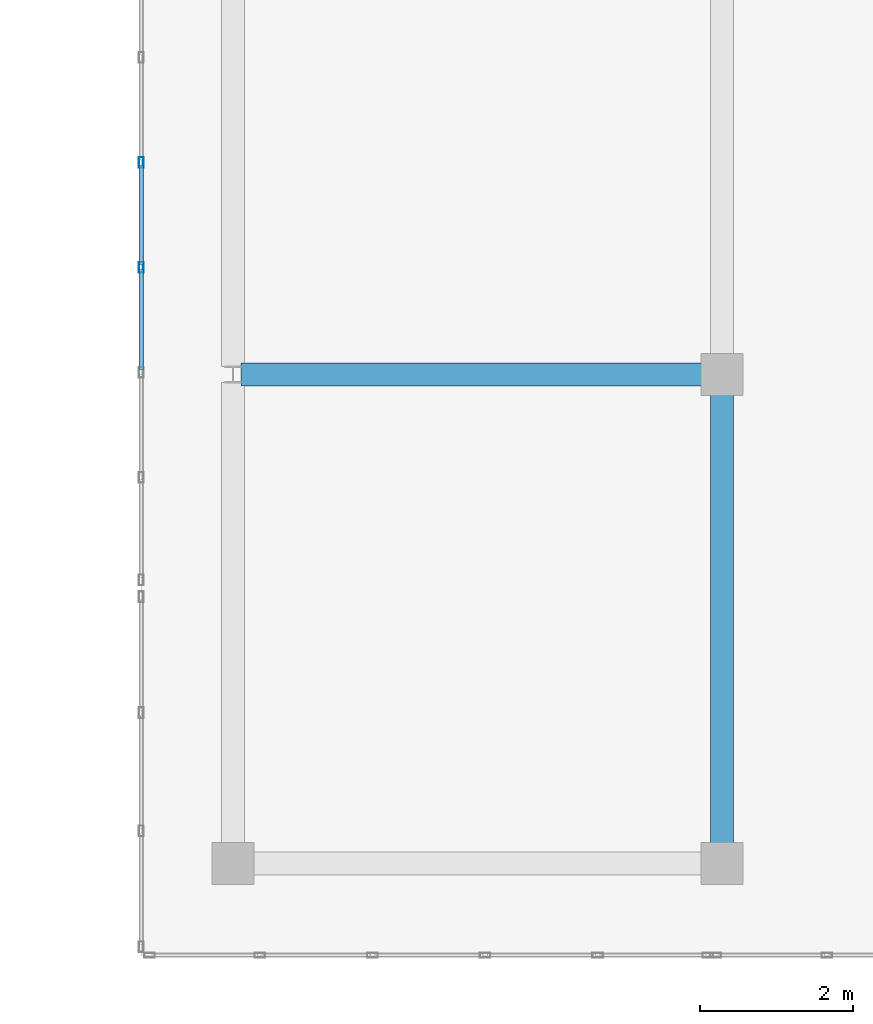
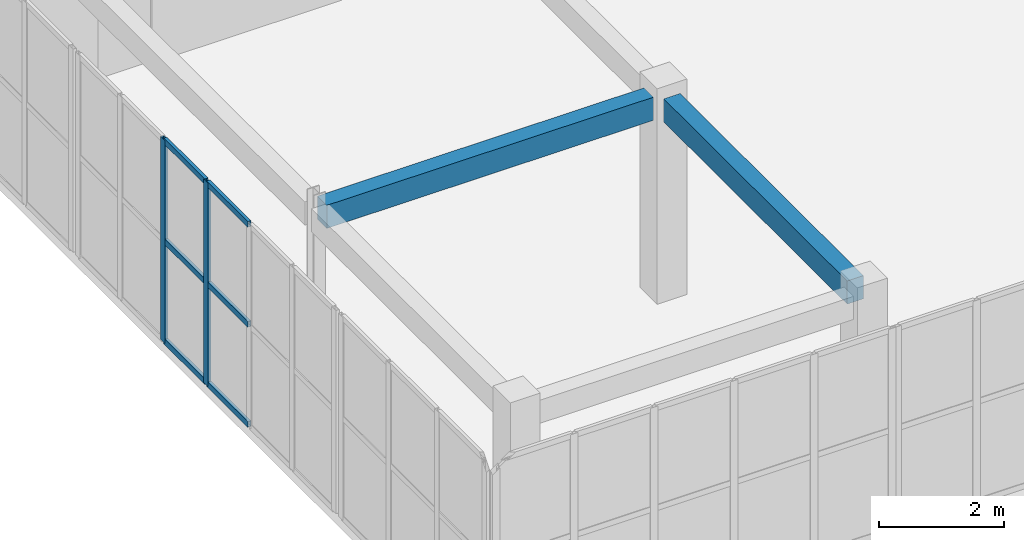
# One storey, part 17 of 140: 8 members, 2 beams, 1 element without a shape of its own.
"""IFC4 building model written with IfcOpenShell, lengths in metres."""

import ifcopenshell
import ifcopenshell.guid

model = None  # the IFC model being written
_history = None  # IfcOwnerHistory: only IFC2X3 demands one
_inside = {}  # id of a spatial element -> (the spatial element, [elements in it])
_under = {}  # id of a project, library or spatial element -> (it, [spatial elements below it])
_declared = {}  # id of a project -> (the project, [libraries it declares])
_typed = {}  # id of a type object -> (the type object, [elements of that type])
_made_of = {}  # id of a material, layer set ... -> (it, [elements and type objects made of it])


def new_model(schema):
    """Start an empty IFC model of exactly this schema.

    Asked for "IFC4X3", IfcOpenShell would pick the latest addendum, in which some entities
    have other attributes; the version numbers below select the first issue.
    IFC2X3 requires an IfcOwnerHistory on every rooted entity: one is made here for all.
    """
    global model, _history
    if schema == "IFC4X3":
        model = ifcopenshell.file(schema_version=(4, 3, 0, 0))
    else:
        model = ifcopenshell.file(schema=schema)
    _inside.clear()
    _under.clear()
    _declared.clear()
    _typed.clear()
    _made_of.clear()
    _history = None
    if model.schema == "IFC2X3":
        org = make("IfcOrganization", Name="unknown")
        user = make(
            "IfcPersonAndOrganization",
            ThePerson=make("IfcPerson", FamilyName="unknown"),
            TheOrganization=org,
        )
        app = make(
            "IfcApplication",
            ApplicationDeveloper=org,
            Version="unknown",
            ApplicationFullName="unknown",
            ApplicationIdentifier="unknown",
        )
        _history = make(
            "IfcOwnerHistory",
            OwningUser=user,
            OwningApplication=app,
            ChangeAction="ADDED",
            CreationDate=0,
        )
    return model


def make(cls, **values):
    """One entity of the class cls with the attributes given. An attribute that is None is left unset."""
    return model.create_entity(
        cls, **{name: value for name, value in values.items() if value is not None}
    )


def rooted(cls, **values):
    """An entity with a GlobalId (a new one), such as an element, a storey or a relation."""
    return make(cls, GlobalId=ifcopenshell.guid.new(), OwnerHistory=_history, **values)


def si_unit(unit_type, name, prefix=None):
    """IfcSIUnit, for example si_unit("LENGTHUNIT", "METRE", prefix="MILLI")."""
    return make("IfcSIUnit", UnitType=unit_type, Prefix=prefix, Name=name)


def assignment(units):
    """IfcUnitAssignment: the units of a project."""
    return None if units is None else make("IfcUnitAssignment", Units=units)


def point(xyz):
    """IfcCartesianPoint."""
    return None if xyz is None else make("IfcCartesianPoint", Coordinates=xyz)


def direction(xyz):
    """IfcDirection."""
    return None if xyz is None else make("IfcDirection", DirectionRatios=xyz)


def frame(location, z_axis=None, x_axis=None):
    """IfcAxis2Placement3D, a coordinate frame: its origin and axes. An axis left out is left unset."""
    return make(
        "IfcAxis2Placement3D",
        Location=point(location),
        Axis=direction(z_axis),
        RefDirection=direction(x_axis),
    )


def frame_2d(location, x_axis=None):
    """IfcAxis2Placement2D, a coordinate frame in the plane: its origin and x axis."""
    return make(
        "IfcAxis2Placement2D", Location=point(location), RefDirection=direction(x_axis)
    )


def origin():
    """The frame at (0, 0, 0) with its axes left unset."""
    return frame((0.0, 0.0, 0.0))


def origin_2d():
    """The frame at (0, 0) in the plane with its x axis left unset."""
    return frame_2d((0.0, 0.0))


def place(relative_to, where):
    """IfcLocalPlacement: puts the frame where relative to a parent placement (None: the world)."""
    return make(
        "IfcLocalPlacement", PlacementRelTo=relative_to, RelativePlacement=where
    )


def context(
    kind, dimensions, precision=None, world=None, true_north=None, identifier=None
):
    """IfcGeometricRepresentationContext, for example the 3D "Model" context."""
    return make(
        "IfcGeometricRepresentationContext",
        ContextIdentifier=identifier,
        ContextType=kind,
        CoordinateSpaceDimension=dimensions,
        Precision=precision,
        WorldCoordinateSystem=world,
        TrueNorth=true_north,
    )


def subcontext(parent, identifier, kind, view, scale=None):
    """IfcGeometricRepresentationSubContext, for example "Body" below "Model"."""
    return make(
        "IfcGeometricRepresentationSubContext",
        ContextIdentifier=identifier,
        ContextType=kind,
        ParentContext=parent,
        TargetScale=scale,
        TargetView=view,
    )


def project(units=None, contexts=None):
    """IfcProject with its units and contexts."""
    return rooted(
        "IfcProject",
        Name="project",
        RepresentationContexts=contexts,
        UnitsInContext=assignment(units),
    )


def spatial(cls, under=None, at=None, **own):
    """A site, building, storey or space (cls), placed at a placement, below another one or the project."""
    s = rooted(cls, ObjectPlacement=at, **own)
    if under is not None:
        _under.setdefault(under.id(), (under, []))[1].append(s)
    return s


def profile(cls, at=None, kind="AREA", **sizes):
    """A parametric profile (cls). Its sizes go by their IFC names, for example OverallWidth=200.0."""
    return make(cls, ProfileType=kind, Position=at, **sizes)


def rectangle(**sizes):
    """IfcRectangleProfileDef."""
    return profile("IfcRectangleProfileDef", **sizes)


def hollow_rectangle(**sizes):
    """IfcRectangleHollowProfileDef."""
    return profile("IfcRectangleHollowProfileDef", **sizes)


def extrude(swept, where, along, depth):
    """IfcExtrudedAreaSolid: the profile swept, set in the frame where, extruded along a direction by depth."""
    return make(
        "IfcExtrudedAreaSolid",
        SweptArea=swept,
        Position=where,
        ExtrudedDirection=direction(along),
        Depth=depth,
    )


def shape(context_of_items, identifier, shape_type, items):
    """IfcShapeRepresentation: the items that make up one representation, for example the "Body"."""
    return make(
        "IfcShapeRepresentation",
        ContextOfItems=context_of_items,
        RepresentationIdentifier=identifier,
        RepresentationType=shape_type,
        Items=items,
    )


def material(Name=None, Category=None):
    """IfcMaterial."""
    return make("IfcMaterial", Name=Name, Category=Category)


def layer(
    of_material, thickness, ventilated=None, Name=None, Category=None, Priority=None
):
    """IfcMaterialLayer: one layer of a wall or slab, of a material (None: an air gap)."""
    return make(
        "IfcMaterialLayer",
        Material=of_material,
        LayerThickness=thickness,
        IsVentilated=ventilated,
        Name=Name,
        Category=Category,
        Priority=Priority,
    )


def layer_set(layers, Name=None):
    """IfcMaterialLayerSet."""
    return make("IfcMaterialLayerSet", MaterialLayers=layers, LayerSetName=Name)


def material_profile(
    of_material, cross_section, Name=None, Category=None, Priority=None
):
    """IfcMaterialProfile: a cross section and its material."""
    return make(
        "IfcMaterialProfile",
        Name=Name,
        Material=of_material,
        Profile=cross_section,
        Priority=Priority,
        Category=Category,
    )


def profile_set(profiles, Name=None, composite=None):
    """IfcMaterialProfileSet."""
    return make(
        "IfcMaterialProfileSet",
        Name=Name,
        MaterialProfiles=profiles,
        CompositeProfile=composite,
    )


def made_of(thing, what):
    """Note that an element or type object is made of a material, layer set ...; save() writes the relation."""
    if what is not None:
        _made_of.setdefault(what.id(), (what, []))[1].append(thing)
    return thing


def type_object(cls, material=None, **own):
    """A type object (cls), such as IfcWallType, which elements share."""
    return made_of(rooted(cls, **own), material)


def element(
    cls,
    number,
    at=None,
    inside=None,
    cuts=None,
    type_object=None,
    material=None,
    context=None,
    identifier="Body",
    shape_type=None,
    held_by="IfcProductDefinitionShape",
    body=None,
    shapes=None,
    **own,
):
    """One element of the class cls, such as IfcWall. Its Tag is "e" and its number.

    at: its placement. inside: the storey or other place that contains it. cuts: it is an
    opening in that element (IfcRelVoidsElement). A single representation is given by context,
    identifier, shape_type and body (its items); several are given by shapes. held_by: the class
    of the entity that holds the representations. save() writes the other relations.
    """
    e = rooted(cls, Tag="e%d" % number, ObjectPlacement=at, **own)
    if body is not None:
        shapes = [shape(context, identifier, shape_type, body)]
    if shapes is not None:
        e.Representation = make(held_by, Representations=shapes)
    if inside is not None:
        _inside.setdefault(inside.id(), (inside, []))[1].append(e)
    if cuts is not None:
        rooted(
            "IfcRelVoidsElement", RelatingBuildingElement=cuts, RelatedOpeningElement=e
        )
    if type_object is not None:
        _typed.setdefault(type_object.id(), (type_object, []))[1].append(e)
    return made_of(e, material)


def aggregate(whole, parts):
    """IfcRelAggregates: a whole, such as a stair, and the parts it consists of."""
    return rooted("IfcRelAggregates", RelatingObject=whole, RelatedObjects=parts)


def save(model, path):
    """Write the relations noted so far, then the file.

    IfcRelAggregates (storeys below a building ...), IfcRelContainedInSpatialStructure (elements
    in a storey), IfcRelDefinesByType, IfcRelAssociatesMaterial and IfcRelDeclares: one each for
    every whole, place, type object, material and project.
    """
    for whole, parts in _under.values():
        aggregate(whole, parts)
    for where, things in _inside.values():
        rooted(
            "IfcRelContainedInSpatialStructure",
            RelatedElements=things,
            RelatingStructure=where,
        )
    for kind, things in _typed.values():
        rooted("IfcRelDefinesByType", RelatedObjects=things, RelatingType=kind)
    for what, things in _made_of.values():
        rooted("IfcRelAssociatesMaterial", RelatedObjects=things, RelatingMaterial=what)
    for by, libraries in _declared.values():
        rooted("IfcRelDeclares", RelatingContext=by, RelatedDefinitions=libraries)
    model.write(path)


model = new_model("IFC4")

# Units and contexts
model_context = context("Model", 3, precision=1e-05, world=origin(), true_north=direction((0.0, 1.0)))
body_context = subcontext(model_context, "Body", "Model", "MODEL_VIEW")
ifc_project = project(units=[si_unit("LENGTHUNIT", "METRE"), si_unit("AREAUNIT", "SQUARE_METRE"), si_unit("VOLUMEUNIT", "CUBIC_METRE"), si_unit("PLANEANGLEUNIT", "RADIAN"), si_unit("MASSUNIT", "GRAM", prefix="KILO")], contexts=[model_context])

# Site, building, storey
site_placement = place(None, origin())
site = spatial("IfcSite", under=ifc_project, at=site_placement, CompositionType="ELEMENT")
building_placement = place(site_placement, origin())
building = spatial("IfcBuilding", under=site, at=building_placement, Name="Trelvath General Hospital", CompositionType="ELEMENT")
storey_placement = place(building_placement, frame((0.0, 0.0, 16.199951171875)))
storey = spatial("IfcBuildingStorey", under=building, at=storey_placement, Name="L04", CompositionType="ELEMENT", Elevation=16.199951171875)

# Beams
ifc_material_1 = material(Name="Concrete C35/45", Category="concrete")
ifc_material_profile_1 = material_profile(ifc_material_1, rectangle(XDim=0.300048828125, YDim=0.449951171875, at=origin_2d()), Name="RCB300x450")
ifc_profile_set_1 = profile_set([ifc_material_profile_1], Name="Concrete C35/45")
beam_type = type_object("IfcBeamType", Name="Beam RC300x450", PredefinedType="BEAM", material=ifc_profile_set_1)
beam_1_placement = place(storey_placement, frame((54.506103515625, 44.800048828125, 3.735107421875), z_axis=(1.0, 0.0, 0.0), x_axis=(0.0, 1.0, 0.0)))
element("IfcBeam", 1, at=beam_1_placement, inside=storey, type_object=beam_type, Name="Cube Interior Ring Beam CUBE-W-T1 L04", PredefinedType="BEAM", context=body_context, shape_type="SweptSolid", body=[
    extrude(rectangle(XDim=0.300048828125, YDim=0.449951171875, at=origin_2d()), origin(), (0.0, 0.0, 1.0), 6.02294921875),
])
beam_2_placement = place(storey_placement, frame((60.800048828125, 38.6708984375, 3.735107421875), z_axis=(0.0, 1.0, 0.0), x_axis=(-1.0, 0.0, 0.0)))
element("IfcBeam", 2, at=beam_2_placement, inside=storey, type_object=beam_type, Name="Cube Interior Ring Beam CUBE-W-T1 L04", PredefinedType="BEAM", context=body_context, shape_type="SweptSolid", body=[
    extrude(rectangle(XDim=0.300048828125, YDim=0.449951171875, at=origin_2d()), origin(), (0.0, 0.0, 1.0), 5.858154296875),
])

# Curtain wall, members
ifc_material_2 = material(Name="Anodised aluminium and low-E glass", Category="aluminium")
ifc_layer = layer(ifc_material_2, 0.139892578125)
ifc_layer_set = layer_set([ifc_layer], Name="Anodised aluminium and low-E glass")
curtain_wall_type = type_object("IfcCurtainWallType", Name="CW CrystalCube 824 396 14", PredefinedType="USERDEFINED", material=ifc_layer_set)
curtain_wall_placement = place(storey_placement, origin())
curtain_wall = element("IfcCurtainWall", 3, at=curtain_wall_placement, inside=storey, type_object=curtain_wall_type, Name="Crystal Cube Curtain Wall CUBE-W-T1 W2 L04", ObjectType="Unitised Glazed Curtain Wall", PredefinedType="USERDEFINED")
ifc_material_3 = material(Name="Anodised aluminium", Category="aluminium")
ifc_material_profile_2 = material_profile(ifc_material_3, hollow_rectangle(XDim=0.06005859375, YDim=0.139892578125, WallThickness=0.00390625, at=origin_2d()), Name="RHS60x140x4")
ifc_profile_set_2 = profile_set([ifc_material_profile_2], Name="Anodised aluminium")
member_type_1 = type_object("IfcMemberType", Name="CurtainMullion 60x140", PredefinedType="MULLION", material=ifc_profile_set_2)
member_1_placement = place(storey_placement, frame((53.199951171875, 46.199951171875, 0.0), z_axis=(0.0, 0.0, 1.0), x_axis=(-1.0, 0.0, 0.0)))
member_1 = element("IfcMember", 4, at=member_1_placement, type_object=member_type_1, Name="CW-276 mullion 4", PredefinedType="MULLION", context=body_context, shape_type="SweptSolid", body=[
    extrude(hollow_rectangle(XDim=0.06005859375, YDim=0.139892578125, WallThickness=0.00390625, at=origin_2d()), origin(), (0.0, 0.0, 1.0), 3.9599609375),
])
member_2_placement = place(storey_placement, frame((53.199951171875, 47.5732421875, 0.0), z_axis=(0.0, 0.0, 1.0), x_axis=(-1.0, 0.0, 0.0)))
member_2 = element("IfcMember", 5, at=member_2_placement, type_object=member_type_1, Name="CW-276 mullion 5", PredefinedType="MULLION", context=body_context, shape_type="SweptSolid", body=[
    extrude(hollow_rectangle(XDim=0.06005859375, YDim=0.139892578125, WallThickness=0.00390625, at=origin_2d()), origin(), (0.0, 0.0, 1.0), 3.9599609375),
])
ifc_material_4 = material(Name="Anodised aluminium", Category="aluminium")
ifc_material_profile_3 = material_profile(ifc_material_4, hollow_rectangle(XDim=0.06005859375, YDim=0.110107421875, WallThickness=0.00390625, at=origin_2d()), Name="RHS60x110x4")
ifc_profile_set_3 = profile_set([ifc_material_profile_3], Name="Anodised aluminium")
member_type_2 = type_object("IfcMemberType", Name="CurtainTransom 60x110", PredefinedType="USERDEFINED", material=ifc_profile_set_3)
member_3_placement = place(storey_placement, frame((53.199951171875, 44.856689453125, 0.030029296875), z_axis=(0.0, 1.0, 0.0), x_axis=(-1.0, 0.0, 0.0)))
member_3 = element("IfcMember", 6, at=member_3_placement, type_object=member_type_2, Name="CW-276 transom 3.1", ObjectType="TRANSOM", PredefinedType="USERDEFINED", context=body_context, shape_type="SweptSolid", body=[
    extrude(hollow_rectangle(XDim=0.06005859375, YDim=0.110107421875, WallThickness=0.00390625, at=origin_2d()), origin(), (0.0, 0.0, 1.0), 1.313232421875),
])
member_4_placement = place(storey_placement, frame((53.199951171875, 44.856689453125, 1.97998046875), z_axis=(0.0, 1.0, 0.0), x_axis=(-1.0, 0.0, 0.0)))
member_4 = element("IfcMember", 7, at=member_4_placement, type_object=member_type_2, Name="CW-276 transom 3.2", ObjectType="TRANSOM", PredefinedType="USERDEFINED", context=body_context, shape_type="SweptSolid", body=[
    extrude(hollow_rectangle(XDim=0.06005859375, YDim=0.110107421875, WallThickness=0.00390625, at=origin_2d()), origin(), (0.0, 0.0, 1.0), 1.313232421875),
])
member_5_placement = place(storey_placement, frame((53.199951171875, 44.856689453125, 3.929931640625), z_axis=(0.0, 1.0, 0.0), x_axis=(-1.0, 0.0, 0.0)))
member_5 = element("IfcMember", 8, at=member_5_placement, type_object=member_type_2, Name="CW-276 transom 3.3", ObjectType="TRANSOM", PredefinedType="USERDEFINED", context=body_context, shape_type="SweptSolid", body=[
    extrude(hollow_rectangle(XDim=0.06005859375, YDim=0.110107421875, WallThickness=0.00390625, at=origin_2d()), origin(), (0.0, 0.0, 1.0), 1.313232421875),
])
member_6_placement = place(storey_placement, frame((53.199951171875, 46.22998046875, 0.030029296875), z_axis=(0.0, 1.0, 0.0), x_axis=(-1.0, 0.0, 0.0)))
member_6 = element("IfcMember", 9, at=member_6_placement, type_object=member_type_2, Name="CW-276 transom 4.1", ObjectType="TRANSOM", PredefinedType="USERDEFINED", context=body_context, shape_type="SweptSolid", body=[
    extrude(hollow_rectangle(XDim=0.06005859375, YDim=0.110107421875, WallThickness=0.00390625, at=origin_2d()), origin(), (0.0, 0.0, 1.0), 1.313232421875),
])
member_7_placement = place(storey_placement, frame((53.199951171875, 46.22998046875, 1.97998046875), z_axis=(0.0, 1.0, 0.0), x_axis=(-1.0, 0.0, 0.0)))
member_7 = element("IfcMember", 10, at=member_7_placement, type_object=member_type_2, Name="CW-276 transom 4.2", ObjectType="TRANSOM", PredefinedType="USERDEFINED", context=body_context, shape_type="SweptSolid", body=[
    extrude(hollow_rectangle(XDim=0.06005859375, YDim=0.110107421875, WallThickness=0.00390625, at=origin_2d()), origin(), (0.0, 0.0, 1.0), 1.313232421875),
])
member_8_placement = place(storey_placement, frame((53.199951171875, 46.22998046875, 3.929931640625), z_axis=(0.0, 1.0, 0.0), x_axis=(-1.0, 0.0, 0.0)))
member_8 = element("IfcMember", 11, at=member_8_placement, type_object=member_type_2, Name="CW-276 transom 4.3", ObjectType="TRANSOM", PredefinedType="USERDEFINED", context=body_context, shape_type="SweptSolid", body=[
    extrude(hollow_rectangle(XDim=0.06005859375, YDim=0.110107421875, WallThickness=0.00390625, at=origin_2d()), origin(), (0.0, 0.0, 1.0), 1.313232421875),
])
aggregate(curtain_wall, [member_1, member_2, member_3, member_4, member_5, member_6, member_7, member_8])

save(model, "model.ifc")
